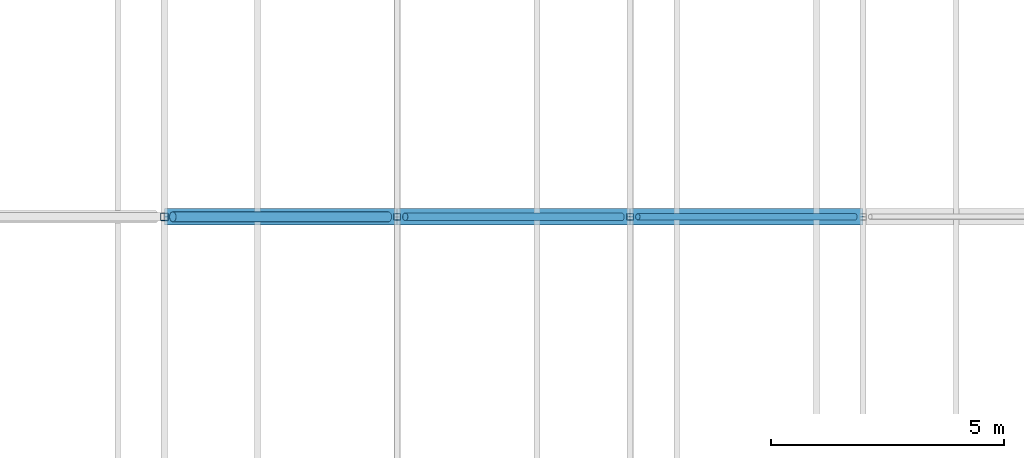
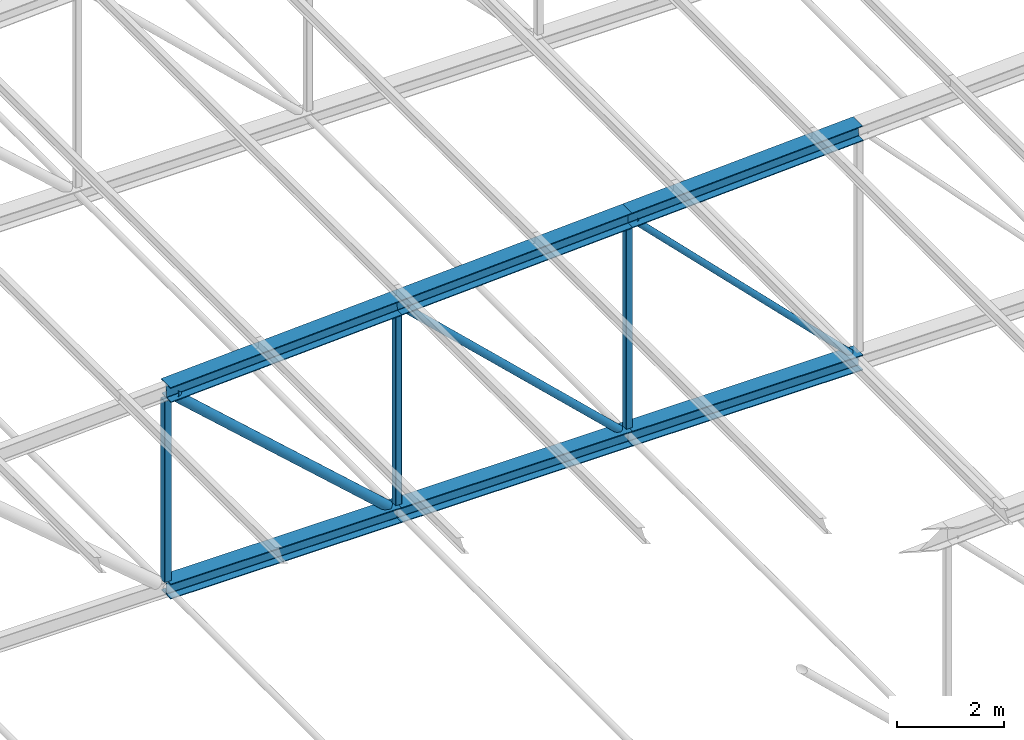
# One storey, part 59 of 156: 12 members.
"""IFC4 building model written with IfcOpenShell, lengths in metres."""

from ifc_helpers import new_model, si_unit, direction, frame, origin, origin_2d, place, context, subcontext, project, spatial, hollow_rectangle, hollow_circle, i_section, extrude, material, material_profile, profile_set, type_object, element, save


model = new_model("IFC4")

# Units and contexts
model_context = context("Model", 3, precision=1e-05, world=origin(), true_north=direction((0.0, 1.0)))
body_context = subcontext(model_context, "Body", "Model", "MODEL_VIEW")
ifc_project = project(units=[si_unit("LENGTHUNIT", "METRE"), si_unit("AREAUNIT", "SQUARE_METRE"), si_unit("VOLUMEUNIT", "CUBIC_METRE"), si_unit("PLANEANGLEUNIT", "RADIAN"), si_unit("MASSUNIT", "GRAM", prefix="KILO")], contexts=[model_context])

# Site, building, storey
site_placement = place(None, origin())
site = spatial("IfcSite", under=ifc_project, at=site_placement, CompositionType="ELEMENT")
building_placement = place(site_placement, origin())
building = spatial("IfcBuilding", under=site, at=building_placement, Name="Lilac Gate Convention Centre", CompositionType="ELEMENT")
storey_placement = place(building_placement, frame((0.0, 0.0, 17.0)))
storey = spatial("IfcBuildingStorey", under=building, at=storey_placement, Name="L03", CompositionType="ELEMENT", Elevation=17.0)

# Members
ifc_material = material(Name="Steel Q355B", Category="steel")
ifc_material_profile_1 = material_profile(ifc_material, i_section(OverallWidth=0.35009765625, OverallDepth=0.35009765625, WebThickness=0.011962890625, FlangeThickness=0.01904296875, FilletRadius=0.012939453125, at=origin_2d()), Name="HW350x350x12x19")
ifc_profile_set_1 = profile_set([ifc_material_profile_1], Name="Steel Q355B")
member_type_1 = type_object("IfcMemberType", Name="Truss bottom chord HW350x350x12x19", PredefinedType="CHORD", material=ifc_profile_set_1)
for number, where, z_axis, x_axis, name in (
    (1, (40.0, 114.0, 0.0), (1.0, 0.0, 0.0), (0.0, 1.0, 0.0), "TB2 truss 8 bottom chord 3"),
    (2, (45.0, 114.0, 0.0), (1.0, 0.0, 0.0), (0.0, 1.0, 0.0), "TB2 truss 8 bottom chord 4"),
):
    element("IfcMember", number, at=place(storey_placement, frame(where, z_axis=z_axis, x_axis=x_axis)), inside=storey, type_object=member_type_1, Name=name, PredefinedType="CHORD", context=body_context, shape_type="SweptSolid", body=[
        extrude(i_section(OverallWidth=0.35009765625, OverallDepth=0.35009765625, WebThickness=0.011962890625, FlangeThickness=0.01904296875, FilletRadius=0.012939453125, at=origin_2d()), origin(), (0.0, 0.0, 1.0), 5.0),
    ])
ifc_material_profile_2 = material_profile(ifc_material, i_section(OverallWidth=0.35693359375, OverallDepth=0.35009765625, WebThickness=0.01904296875, FlangeThickness=0.01904296875, FilletRadius=0.012939453125, at=origin_2d()), Name="HW350x357x19x19")
ifc_profile_set_2 = profile_set([ifc_material_profile_2], Name="Steel Q355B")
member_type_2 = type_object("IfcMemberType", Name="Truss bottom chord HW350x357x19x19", PredefinedType="CHORD", material=ifc_profile_set_2)
member_1_placement = place(storey_placement, frame((50.0, 114.0, 0.0), z_axis=(1.0, 0.0, 0.0), x_axis=(0.0, 1.0, 0.0)))
element("IfcMember", 3, at=member_1_placement, inside=storey, type_object=member_type_2, Name="TB3 truss 8 bottom chord 5", PredefinedType="CHORD", context=body_context, shape_type="SweptSolid", body=[
    extrude(i_section(OverallWidth=0.35693359375, OverallDepth=0.35009765625, WebThickness=0.01904296875, FlangeThickness=0.01904296875, FilletRadius=0.012939453125, at=origin_2d()), origin(), (0.0, 0.0, 1.0), 5.0),
])
ifc_material_profile_3 = material_profile(ifc_material, hollow_circle(Radius=0.06982421875, WallThickness=0.006103515625, at=origin_2d()), Name="CHS139.7x6")
ifc_profile_set_3 = profile_set([ifc_material_profile_3], Name="Steel Q355B")
member_type_3 = type_object("IfcMemberType", Name="Truss diagonal CHS139.7x6", PredefinedType="BRACE", material=ifc_profile_set_3)
member_2_placement = place(storey_placement, frame((50.164306640625, 114.0, 4.835693359375), z_axis=(0.707106781187, 0.0, -0.707106781187), x_axis=(0.0, 1.0, 0.0)))
element("IfcMember", 4, at=member_2_placement, inside=storey, type_object=member_type_3, Name="TW5 truss 8 diagonal 5", PredefinedType="BRACE", context=body_context, shape_type="SweptSolid", body=[
    extrude(hollow_circle(Radius=0.06982421875, WallThickness=0.006103515625, at=origin_2d()), origin(), (0.0, 0.0, 1.0), 6.591064453125),
])
ifc_material_profile_4 = material_profile(ifc_material, hollow_circle(Radius=0.084228515625, WallThickness=0.006103515625, at=origin_2d()), Name="CHS168.3x6")
ifc_profile_set_4 = profile_set([ifc_material_profile_4], Name="Steel Q355B")
member_type_4 = type_object("IfcMemberType", Name="Truss diagonal CHS168.3x6", PredefinedType="BRACE", material=ifc_profile_set_4)
member_3_placement = place(storey_placement, frame((45.1728515625, 114.0, 4.585693359375), z_axis=(0.725020373275, 0.0, -0.688727419475), x_axis=(0.0, 1.0, 0.0)))
element("IfcMember", 5, at=member_3_placement, inside=storey, type_object=member_type_4, Name="TW4 truss 8 diagonal 4", PredefinedType="BRACE", context=body_context, shape_type="SweptSolid", body=[
    extrude(hollow_circle(Radius=0.084228515625, WallThickness=0.006103515625, at=origin_2d()), origin(), (0.0, 0.0, 1.0), 6.404052734375),
])
ifc_material_profile_5 = material_profile(ifc_material, hollow_circle(Radius=0.109619140625, WallThickness=0.008056640625, at=origin_2d()), Name="CHS219.1x8")
ifc_profile_set_5 = profile_set([ifc_material_profile_5], Name="Steel Q355B")
member_type_5 = type_object("IfcMemberType", Name="Truss diagonal CHS219.1x8", PredefinedType="BRACE", material=ifc_profile_set_5)
member_4_placement = place(storey_placement, frame((40.1826171875, 114.0, 4.335693359375), z_axis=(0.743301953498, 0.0, -0.668956056797), x_axis=(0.0, 1.0, 0.0)))
element("IfcMember", 6, at=member_4_placement, inside=storey, type_object=member_type_5, Name="TW3 truss 8 diagonal 3", PredefinedType="BRACE", context=body_context, shape_type="SweptSolid", body=[
    extrude(hollow_circle(Radius=0.109619140625, WallThickness=0.008056640625, at=origin_2d()), origin(), (0.0, 0.0, 1.0), 6.2197265625),
])
ifc_material_profile_6 = material_profile(ifc_material, i_section(OverallWidth=0.35009765625, OverallDepth=0.35009765625, WebThickness=0.011962890625, FlangeThickness=0.01904296875, FilletRadius=0.012939453125, at=origin_2d()), Name="HW350x350x12x19")
ifc_profile_set_6 = profile_set([ifc_material_profile_6], Name="Steel Q355B")
member_type_6 = type_object("IfcMemberType", Name="Truss top chord HW350x350x12x19", PredefinedType="CHORD", material=ifc_profile_set_6)
for number, where, z_axis, x_axis, name in (
    (7, (40.0, 114.0, 4.5), (0.998752338878, 0.0, 0.049937616944), (0.0, 1.0, 0.0), "TT2 truss 8 top chord 3"),
    (8, (45.0, 114.0, 4.75), (0.998752338878, 0.0, 0.049937616944), (0.0, 1.0, 0.0), "TT2 truss 8 top chord 4"),
    (9, (50.0, 114.0, 5.0), (0.998752338878, 0.0, 0.049937616944), (0.0, 1.0, 0.0), "TT2 truss 8 top chord 5"),
):
    element("IfcMember", number, at=place(storey_placement, frame(where, z_axis=z_axis, x_axis=x_axis)), inside=storey, type_object=member_type_6, Name=name, PredefinedType="CHORD", context=body_context, shape_type="SweptSolid", body=[
        extrude(i_section(OverallWidth=0.35009765625, OverallDepth=0.35009765625, WebThickness=0.011962890625, FlangeThickness=0.01904296875, FilletRadius=0.012939453125, at=origin_2d()), origin(), (0.0, 0.0, 1.0), 5.00634765625),
    ])
ifc_material_profile_7 = material_profile(ifc_material, hollow_rectangle(XDim=0.139892578125, YDim=0.139892578125, WallThickness=0.0048828125, InnerFilletRadius=0.0048828125, OuterFilletRadius=0.010009765625, at=origin_2d()), Name="SHS140x140x5")
ifc_profile_set_7 = profile_set([ifc_material_profile_7], Name="Steel Q355B")
member_type_7 = type_object("IfcMemberType", Name="Truss vertical SHS140x140x5", PredefinedType="STRUT", material=ifc_profile_set_7)
member_5_placement = place(storey_placement, frame((45.0, 114.0, 0.175048828125), z_axis=(0.0, 0.0, 1.0), x_axis=(1.0, 0.0, 0.0)))
element("IfcMember", 10, at=member_5_placement, inside=storey, type_object=member_type_7, Name="TV4 truss 8 vertical 4", PredefinedType="STRUT", context=body_context, shape_type="SweptSolid", body=[
    extrude(hollow_rectangle(XDim=0.139892578125, YDim=0.139892578125, WallThickness=0.0048828125, InnerFilletRadius=0.0048828125, OuterFilletRadius=0.010009765625, at=origin_2d()), origin(), (0.0, 0.0, 1.0), 4.399658203125),
])
member_6_placement = place(storey_placement, frame((50.0, 114.0, 0.175048828125), z_axis=(0.0, 0.0, 1.0), x_axis=(1.0, 0.0, 0.0)))
element("IfcMember", 11, at=member_6_placement, inside=storey, type_object=member_type_7, Name="TV4 truss 8 vertical 5", PredefinedType="STRUT", context=body_context, shape_type="SweptSolid", body=[
    extrude(hollow_rectangle(XDim=0.139892578125, YDim=0.139892578125, WallThickness=0.0048828125, InnerFilletRadius=0.0048828125, OuterFilletRadius=0.010009765625, at=origin_2d()), origin(), (0.0, 0.0, 1.0), 4.649658203125),
])
ifc_material_profile_8 = material_profile(ifc_material, hollow_rectangle(XDim=0.159912109375, YDim=0.159912109375, WallThickness=0.006103515625, InnerFilletRadius=0.006103515625, OuterFilletRadius=0.011962890625, at=origin_2d()), Name="SHS160x160x6")
ifc_profile_set_8 = profile_set([ifc_material_profile_8], Name="Steel Q355B")
member_type_8 = type_object("IfcMemberType", Name="Truss vertical SHS160x160x6", PredefinedType="STRUT", material=ifc_profile_set_8)
member_7_placement = place(storey_placement, frame((40.0, 114.0, 0.175048828125), z_axis=(0.0, 0.0, 1.0), x_axis=(1.0, 0.0, 0.0)))
element("IfcMember", 12, at=member_7_placement, inside=storey, type_object=member_type_8, Name="TV3 truss 8 vertical 3", PredefinedType="STRUT", context=body_context, shape_type="SweptSolid", body=[
    extrude(hollow_rectangle(XDim=0.159912109375, YDim=0.159912109375, WallThickness=0.006103515625, InnerFilletRadius=0.006103515625, OuterFilletRadius=0.011962890625, at=origin_2d()), origin(), (0.0, 0.0, 1.0), 4.149658203125),
])

save(model, "model.ifc")
